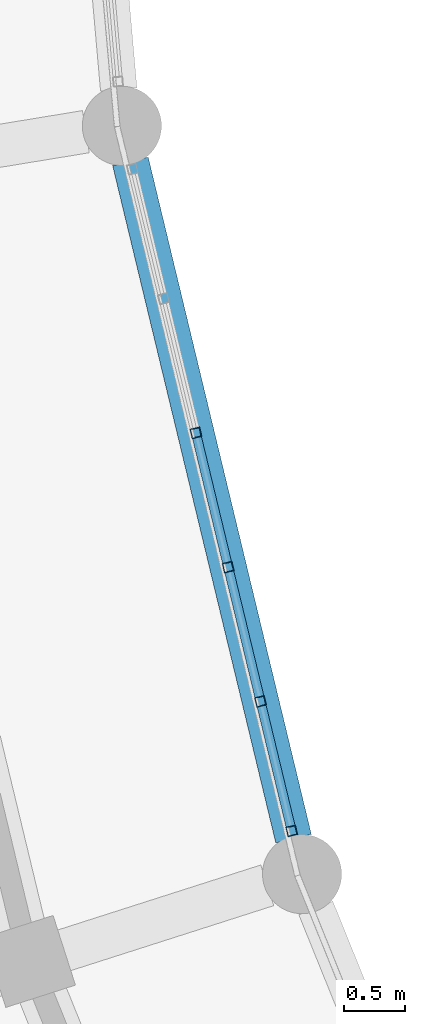
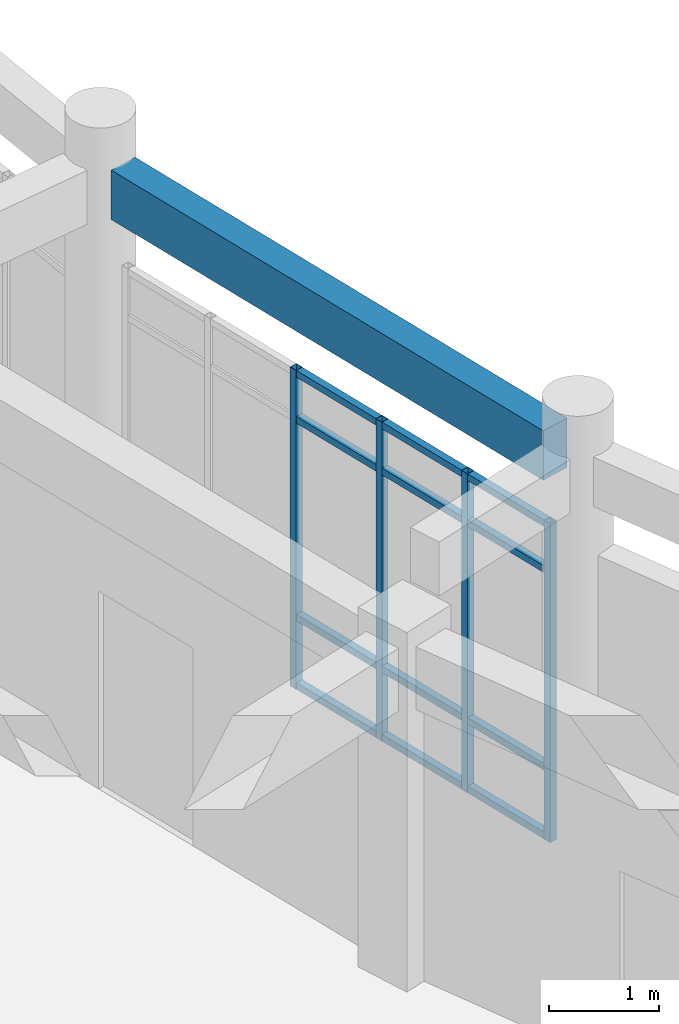
# One storey, part 24 of 159: 16 members, 1 beam, 1 element without a shape of its own.
"""IFC4 building model written with IfcOpenShell, lengths in metres."""

from ifc_helpers import new_model, si_unit, direction, frame, origin, origin_2d, place, context, subcontext, project, spatial, rectangle, hollow_rectangle, extrude, material, material_profile, profile_set, type_object, element, aggregate, save


model = new_model("IFC4")

# Units and contexts
model_context = context("Model", 3, precision=1e-05, world=origin(), true_north=direction((0.0, 1.0)))
body_context = subcontext(model_context, "Body", "Model", "MODEL_VIEW")
ifc_project = project(units=[si_unit("LENGTHUNIT", "METRE"), si_unit("AREAUNIT", "SQUARE_METRE"), si_unit("VOLUMEUNIT", "CUBIC_METRE"), si_unit("PLANEANGLEUNIT", "RADIAN"), si_unit("MASSUNIT", "GRAM", prefix="KILO")], contexts=[model_context])

# Site, building, storey
site_placement = place(None, origin())
site = spatial("IfcSite", under=ifc_project, at=site_placement, CompositionType="ELEMENT")
building_placement = place(site_placement, origin())
building = spatial("IfcBuilding", under=site, at=building_placement, Name="Celadon Cloister-Ring School", CompositionType="ELEMENT")
storey_placement = place(building_placement, frame((0.0, 0.0, 4.5)))
storey = spatial("IfcBuildingStorey", under=building, at=storey_placement, Name="L01", CompositionType="ELEMENT", Elevation=4.5)

# Curtain wall, members
ifc_material_1 = material(Name="Aluminium EN AW-6063 T6", Category="aluminium")
curtain_wall_type = type_object("IfcCurtainWallType", Name="CW-01", PredefinedType="USERDEFINED", material=ifc_material_1)
curtain_wall_placement = place(storey_placement, origin())
curtain_wall = element("IfcCurtainWall", 1, at=curtain_wall_placement, inside=storey, type_object=curtain_wall_type, Name="Curtain Wall 0026", ObjectType="CURTAIN WALL", PredefinedType="USERDEFINED")
ifc_material_2 = material(Name="Aluminium EN AW-6063 T6", Category="aluminium")
ifc_material_profile_1 = material_profile(ifc_material_2, hollow_rectangle(XDim=0.080078125, YDim=0.080078125, WallThickness=0.00390625, at=origin_2d()), Name="RHS80X80X4")
ifc_profile_set_1 = profile_set([ifc_material_profile_1], Name="Aluminium EN AW-6063 T6")
member_type_1 = type_object("IfcMemberType", Name="CM-03", PredefinedType="MULLION", material=ifc_profile_set_1)
member_1_placement = place(storey_placement, frame((45.515869140625, 49.595703125, 0.0), z_axis=(0.0, 0.0, 1.0), x_axis=(0.972212485146, 0.234100157469, 0.0)))
member_1 = element("IfcMember", 2, at=member_1_placement, type_object=member_type_1, Name="CW-01 mullion 3", PredefinedType="MULLION", context=body_context, shape_type="SweptSolid", body=[
    extrude(hollow_rectangle(XDim=0.080078125, YDim=0.080078125, WallThickness=0.00390625, at=origin_2d()), origin(), (0.0, 0.0, 1.0), 3.550048828125),
])
member_2_placement = place(storey_placement, frame((45.78125, 48.493408203125, 0.0), z_axis=(0.0, 0.0, 1.0), x_axis=(0.972212485146, 0.234100157469, 0.0)))
member_2 = element("IfcMember", 3, at=member_2_placement, type_object=member_type_1, Name="CW-01 mullion 4", PredefinedType="MULLION", context=body_context, shape_type="SweptSolid", body=[
    extrude(hollow_rectangle(XDim=0.080078125, YDim=0.080078125, WallThickness=0.00390625, at=origin_2d()), origin(), (0.0, 0.0, 1.0), 3.550048828125),
])
member_3_placement = place(storey_placement, frame((46.046630859375, 47.39111328125, 0.0), z_axis=(0.0, 0.0, 1.0), x_axis=(0.972212485146, 0.234100157469, 0.0)))
member_3 = element("IfcMember", 4, at=member_3_placement, type_object=member_type_1, Name="CW-01 mullion 5", PredefinedType="MULLION", context=body_context, shape_type="SweptSolid", body=[
    extrude(hollow_rectangle(XDim=0.080078125, YDim=0.080078125, WallThickness=0.00390625, at=origin_2d()), origin(), (0.0, 0.0, 1.0), 3.550048828125),
])
member_4_placement = place(storey_placement, frame((46.302734375, 46.327880859375, 0.0), z_axis=(0.0, 0.0, 1.0), x_axis=(0.972212485146, 0.234100157469, 0.0)))
member_4 = element("IfcMember", 5, at=member_4_placement, type_object=member_type_1, Name="CW-01 mullion 6", PredefinedType="MULLION", context=body_context, shape_type="SweptSolid", body=[
    extrude(hollow_rectangle(XDim=0.080078125, YDim=0.080078125, WallThickness=0.00390625, at=origin_2d()), origin(), (0.0, 0.0, 1.0), 3.550048828125),
])
ifc_material_3 = material(Name="Aluminium EN AW-6063 T6", Category="aluminium")
ifc_material_profile_2 = material_profile(ifc_material_3, hollow_rectangle(XDim=0.074951171875, YDim=0.074951171875, WallThickness=0.00390625, at=origin_2d()), Name="RHS75X75X4")
ifc_profile_set_2 = profile_set([ifc_material_profile_2], Name="Aluminium EN AW-6063 T6")
member_type_2 = type_object("IfcMemberType", Name="CTM-03", PredefinedType="USERDEFINED", material=ifc_profile_set_2)
member_5_placement = place(storey_placement, frame((45.525146484375, 49.556640625, 0.03759765625), z_axis=(0.234021392325, -0.972231447719, 0.0), x_axis=(0.972231447719, 0.234021392325, 0.0)))
member_5 = element("IfcMember", 6, at=member_5_placement, type_object=member_type_2, Name="CW-01 transom 3.1", ObjectType="TRANSOM", PredefinedType="USERDEFINED", context=body_context, shape_type="SweptSolid", body=[
    extrude(hollow_rectangle(XDim=0.074951171875, YDim=0.074951171875, WallThickness=0.00390625, at=origin_2d()), origin(), (0.0, 0.0, 1.0), 1.0537109375),
])
member_6_placement = place(storey_placement, frame((45.525146484375, 49.556640625, 0.800048828125), z_axis=(0.234021392325, -0.972231447719, 0.0), x_axis=(0.972231447719, 0.234021392325, 0.0)))
member_6 = element("IfcMember", 7, at=member_6_placement, type_object=member_type_2, Name="CW-01 transom 3.2", ObjectType="TRANSOM", PredefinedType="USERDEFINED", context=body_context, shape_type="SweptSolid", body=[
    extrude(hollow_rectangle(XDim=0.074951171875, YDim=0.074951171875, WallThickness=0.00390625, at=origin_2d()), origin(), (0.0, 0.0, 1.0), 1.0537109375),
])
member_7_placement = place(storey_placement, frame((45.525146484375, 49.556640625, 3.0), z_axis=(0.234021392325, -0.972231447719, 0.0), x_axis=(0.972231447719, 0.234021392325, 0.0)))
member_7 = element("IfcMember", 8, at=member_7_placement, type_object=member_type_2, Name="CW-01 transom 3.3", ObjectType="TRANSOM", PredefinedType="USERDEFINED", context=body_context, shape_type="SweptSolid", body=[
    extrude(hollow_rectangle(XDim=0.074951171875, YDim=0.074951171875, WallThickness=0.00390625, at=origin_2d()), origin(), (0.0, 0.0, 1.0), 1.0537109375),
])
member_8_placement = place(storey_placement, frame((45.525146484375, 49.556640625, 3.512451171875), z_axis=(0.234021392325, -0.972231447719, 0.0), x_axis=(0.972231447719, 0.234021392325, 0.0)))
member_8 = element("IfcMember", 9, at=member_8_placement, type_object=member_type_2, Name="CW-01 transom 3.4", ObjectType="TRANSOM", PredefinedType="USERDEFINED", context=body_context, shape_type="SweptSolid", body=[
    extrude(hollow_rectangle(XDim=0.074951171875, YDim=0.074951171875, WallThickness=0.00390625, at=origin_2d()), origin(), (0.0, 0.0, 1.0), 1.0537109375),
])
member_9_placement = place(storey_placement, frame((45.79052734375, 48.45458984375, 0.03759765625), z_axis=(0.234240389333, -0.972178707854, 0.0), x_axis=(0.972178707854, 0.234240389333, 0.0)))
member_9 = element("IfcMember", 10, at=member_9_placement, type_object=member_type_2, Name="CW-01 transom 4.1", ObjectType="TRANSOM", PredefinedType="USERDEFINED", context=body_context, shape_type="SweptSolid", body=[
    extrude(hollow_rectangle(XDim=0.074951171875, YDim=0.074951171875, WallThickness=0.00390625, at=origin_2d()), origin(), (0.0, 0.0, 1.0), 1.0537109375),
])
member_10_placement = place(storey_placement, frame((45.79052734375, 48.45458984375, 0.800048828125), z_axis=(0.234240389333, -0.972178707854, 0.0), x_axis=(0.972178707854, 0.234240389333, 0.0)))
member_10 = element("IfcMember", 11, at=member_10_placement, type_object=member_type_2, Name="CW-01 transom 4.2", ObjectType="TRANSOM", PredefinedType="USERDEFINED", context=body_context, shape_type="SweptSolid", body=[
    extrude(hollow_rectangle(XDim=0.074951171875, YDim=0.074951171875, WallThickness=0.00390625, at=origin_2d()), origin(), (0.0, 0.0, 1.0), 1.0537109375),
])
member_11_placement = place(storey_placement, frame((45.79052734375, 48.45458984375, 3.0), z_axis=(0.234240389333, -0.972178707854, 0.0), x_axis=(0.972178707854, 0.234240389333, 0.0)))
member_11 = element("IfcMember", 12, at=member_11_placement, type_object=member_type_2, Name="CW-01 transom 4.3", ObjectType="TRANSOM", PredefinedType="USERDEFINED", context=body_context, shape_type="SweptSolid", body=[
    extrude(hollow_rectangle(XDim=0.074951171875, YDim=0.074951171875, WallThickness=0.00390625, at=origin_2d()), origin(), (0.0, 0.0, 1.0), 1.0537109375),
])
member_12_placement = place(storey_placement, frame((45.79052734375, 48.45458984375, 3.512451171875), z_axis=(0.234240389333, -0.972178707854, 0.0), x_axis=(0.972178707854, 0.234240389333, 0.0)))
member_12 = element("IfcMember", 13, at=member_12_placement, type_object=member_type_2, Name="CW-01 transom 4.4", ObjectType="TRANSOM", PredefinedType="USERDEFINED", context=body_context, shape_type="SweptSolid", body=[
    extrude(hollow_rectangle(XDim=0.074951171875, YDim=0.074951171875, WallThickness=0.00390625, at=origin_2d()), origin(), (0.0, 0.0, 1.0), 1.0537109375),
])
member_13_placement = place(storey_placement, frame((46.055908203125, 47.352294921875, 0.03759765625), z_axis=(0.234083346543, -0.972216532914, 0.0), x_axis=(0.972216532914, 0.234083346543, 0.0)))
member_13 = element("IfcMember", 14, at=member_13_placement, type_object=member_type_2, Name="CW-01 transom 5.1", ObjectType="TRANSOM", PredefinedType="USERDEFINED", context=body_context, shape_type="SweptSolid", body=[
    extrude(hollow_rectangle(XDim=0.074951171875, YDim=0.074951171875, WallThickness=0.00390625, at=origin_2d()), origin(), (0.0, 0.0, 1.0), 1.013671875),
])
member_14_placement = place(storey_placement, frame((46.055908203125, 47.352294921875, 0.800048828125), z_axis=(0.234083346543, -0.972216532914, 0.0), x_axis=(0.972216532914, 0.234083346543, 0.0)))
member_14 = element("IfcMember", 15, at=member_14_placement, type_object=member_type_2, Name="CW-01 transom 5.2", ObjectType="TRANSOM", PredefinedType="USERDEFINED", context=body_context, shape_type="SweptSolid", body=[
    extrude(hollow_rectangle(XDim=0.074951171875, YDim=0.074951171875, WallThickness=0.00390625, at=origin_2d()), origin(), (0.0, 0.0, 1.0), 1.013671875),
])
member_15_placement = place(storey_placement, frame((46.055908203125, 47.352294921875, 3.0), z_axis=(0.234083346543, -0.972216532914, 0.0), x_axis=(0.972216532914, 0.234083346543, 0.0)))
member_15 = element("IfcMember", 16, at=member_15_placement, type_object=member_type_2, Name="CW-01 transom 5.3", ObjectType="TRANSOM", PredefinedType="USERDEFINED", context=body_context, shape_type="SweptSolid", body=[
    extrude(hollow_rectangle(XDim=0.074951171875, YDim=0.074951171875, WallThickness=0.00390625, at=origin_2d()), origin(), (0.0, 0.0, 1.0), 1.013671875),
])
member_16_placement = place(storey_placement, frame((46.055908203125, 47.352294921875, 3.512451171875), z_axis=(0.234083346543, -0.972216532914, 0.0), x_axis=(0.972216532914, 0.234083346543, 0.0)))
member_16 = element("IfcMember", 17, at=member_16_placement, type_object=member_type_2, Name="CW-01 transom 5.4", ObjectType="TRANSOM", PredefinedType="USERDEFINED", context=body_context, shape_type="SweptSolid", body=[
    extrude(hollow_rectangle(XDim=0.074951171875, YDim=0.074951171875, WallThickness=0.00390625, at=origin_2d()), origin(), (0.0, 0.0, 1.0), 1.013671875),
])
aggregate(curtain_wall, [member_1, member_2, member_3, member_4, member_5, member_6, member_7, member_8, member_9, member_10, member_11, member_12, member_13, member_14, member_15, member_16])

# Beam
ifc_material_4 = material(Name="Concrete C35/45", Category="concrete")
ifc_material_profile_3 = material_profile(ifc_material_4, rectangle(XDim=0.300048828125, YDim=0.550048828125, at=origin_2d()), Name="RC300X550")
ifc_profile_set_3 = profile_set([ifc_material_profile_3], Name="Concrete C35/45")
beam_type = type_object("IfcBeamType", Name="SP-02", PredefinedType="SPANDREL", material=ifc_profile_set_3)
beam_placement = place(storey_placement, frame((44.97900390625, 51.823974609375, 4.375), z_axis=(0.234188360334, -0.972191242444, 0.0), x_axis=(0.972191242444, 0.234188360334, 0.0)))
element("IfcBeam", 18, at=beam_placement, inside=storey, type_object=beam_type, Name="Beam 0299", PredefinedType="SPANDREL", context=body_context, shape_type="SweptSolid", body=[
    extrude(rectangle(XDim=0.300048828125, YDim=0.550048828125, at=origin_2d()), origin(), (0.0, 0.0, 1.0), 5.718017578125),
])

save(model, "model.ifc")
